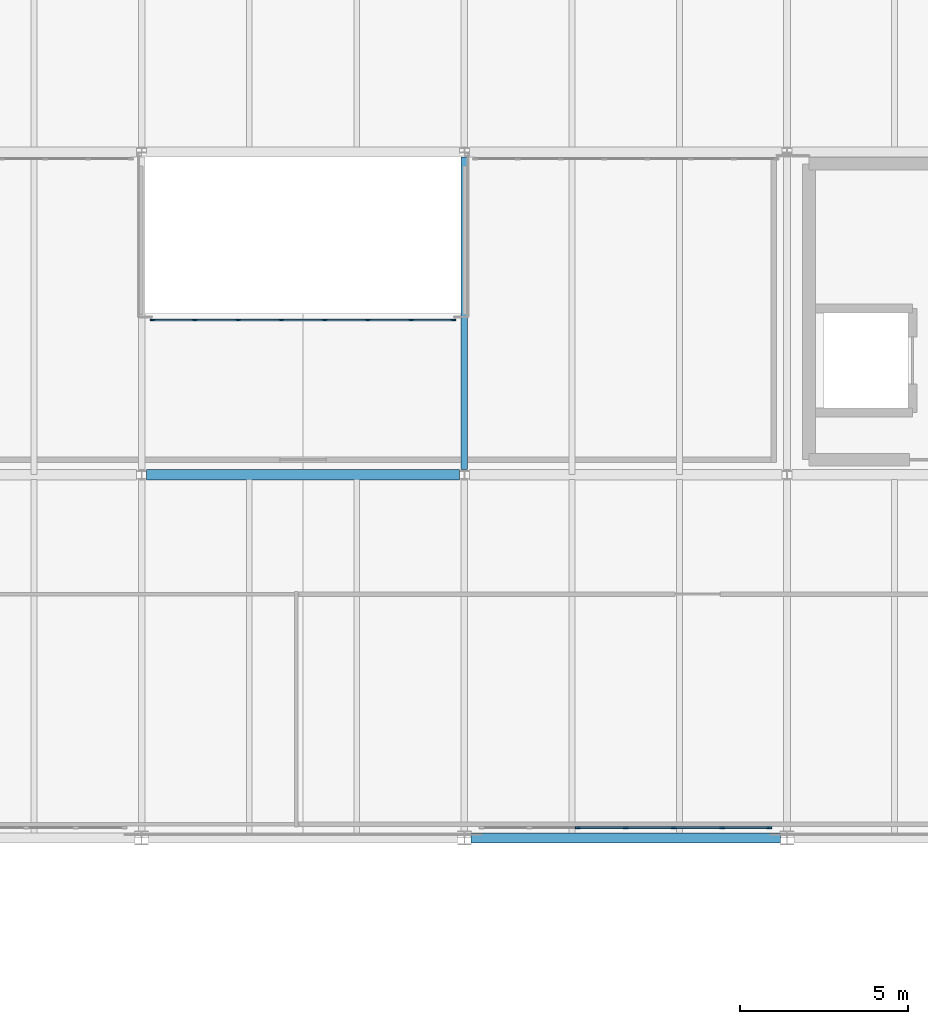
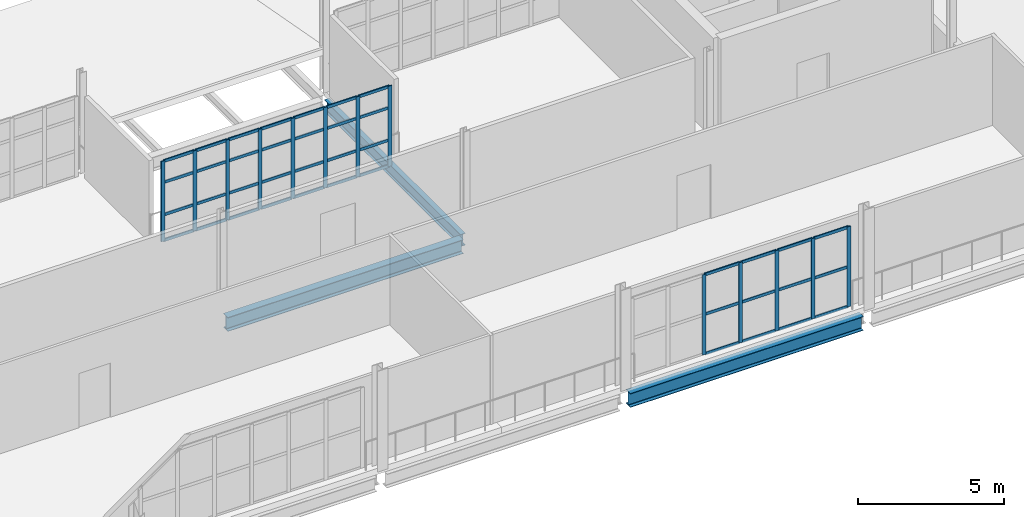
# One storey, part 24 of 58: 53 members, 3 beams, 2 elements without a shape of their own.
"""IFC4 building model written with IfcOpenShell, lengths in metres."""

from ifc_helpers import new_model, si_unit, direction, frame, origin, origin_2d, place, context, subcontext, project, spatial, rectangle, i_section, extrude, material, layer, layer_set, material_profile, profile_set, type_object, element, aggregate, save


model = new_model("IFC4")

# Units and contexts
model_context = context("Model", 3, precision=1e-05, world=origin(), true_north=direction((0.0, 1.0)))
body_context = subcontext(model_context, "Body", "Model", "MODEL_VIEW")
ifc_project = project(units=[si_unit("LENGTHUNIT", "METRE"), si_unit("AREAUNIT", "SQUARE_METRE"), si_unit("VOLUMEUNIT", "CUBIC_METRE"), si_unit("PLANEANGLEUNIT", "RADIAN"), si_unit("MASSUNIT", "GRAM", prefix="KILO")], contexts=[model_context])

# Site, building, storey
site_placement = place(None, origin())
site = spatial("IfcSite", under=ifc_project, at=site_placement, CompositionType="ELEMENT")
building_placement = place(site_placement, origin())
building = spatial("IfcBuilding", under=site, at=building_placement, Name="Yeouljin Market Hall", CompositionType="ELEMENT")
storey_placement = place(building_placement, frame((0.0, 0.0, 10.800048828125)))
storey = spatial("IfcBuildingStorey", under=building, at=storey_placement, Name="L02", CompositionType="ELEMENT", Elevation=10.800048828125)

# Beam
ifc_material_1 = material(Name="Steel SM355", Category="steel")
ifc_material_profile_1 = material_profile(ifc_material_1, i_section(OverallWidth=0.199951171875, OverallDepth=0.5, WebThickness=0.010009765625, FlangeThickness=0.01611328125, FilletRadius=0.02001953125, at=origin_2d()), Name="H-500x200x10x16")
ifc_profile_set_1 = profile_set([ifc_material_profile_1], Name="Steel SM355")
beam_type_1 = type_object("IfcBeamType", Name="Beam_H-500x200x10x16", PredefinedType="BEAM", material=ifc_profile_set_1)
beam_1_placement = place(storey_placement, frame((93.0, 88.949951171875, -0.505126953125), z_axis=(0.0, 1.0, 0.0), x_axis=(-1.0, 0.0, 0.0)))
element("IfcBeam", 1, at=beam_1_placement, inside=storey, type_object=beam_type_1, Name="Primary beam BM-L02-Y117", PredefinedType="BEAM", context=body_context, shape_type="SweptSolid", body=[
    extrude(i_section(OverallWidth=0.199951171875, OverallDepth=0.5, WebThickness=0.010009765625, FlangeThickness=0.01611328125, FilletRadius=0.02001953125, at=origin_2d()), origin(), (0.0, 0.0, 1.0), 9.300048828125),
])

# Curtain wall, members
ifc_material_2 = material(Name="Thermally Broken Aluminium", Category="aluminium")
ifc_layer_1 = layer(ifc_material_2, 0.14990234375)
ifc_layer_set_1 = layer_set([ifc_layer_1], Name="Thermally Broken Aluminium")
curtain_wall_type_1 = type_object("IfcCurtainWallType", Name="CW_AcademyRibbon_System", PredefinedType="USERDEFINED", material=ifc_layer_set_1)
curtain_wall_1_placement = place(storey_placement, origin())
curtain_wall_1 = element("IfcCurtainWall", 2, at=curtain_wall_1_placement, inside=storey, type_object=curtain_wall_type_1, Name="Curtain wall CW-L02-W16", ObjectType="CURTAIN WALL", PredefinedType="USERDEFINED")
ifc_material_3 = material(Name="Thermally Broken Aluminium", Category="aluminium")
ifc_material_profile_2 = material_profile(ifc_material_3, rectangle(XDim=0.048095703125, YDim=0.14990234375, at=origin_2d()), Name="CW-MULL-48x150")
ifc_profile_set_2 = profile_set([ifc_material_profile_2], Name="Thermally Broken Aluminium")
member_type_1 = type_object("IfcMemberType", Name="CWMullion_48x150", PredefinedType="MULLION", material=ifc_profile_set_2)
member_1_placement = place(storey_placement, frame((83.72412109375, 93.39990234375, 0.0), z_axis=(0.0, 0.0, 1.0), x_axis=(0.0, 1.0, 0.0)))
member_1 = element("IfcMember", 3, at=member_1_placement, type_object=member_type_1, Name="CW-05 mullion 1", PredefinedType="MULLION", context=body_context, shape_type="SweptSolid", body=[
    extrude(rectangle(XDim=0.048095703125, YDim=0.14990234375, at=origin_2d()), origin(), (0.0, 0.0, 1.0), 3.349853515625),
])
member_2_placement = place(storey_placement, frame((84.985595703125, 93.39990234375, 0.0), z_axis=(0.0, 0.0, 1.0), x_axis=(0.0, 1.0, 0.0)))
member_2 = element("IfcMember", 4, at=member_2_placement, type_object=member_type_1, Name="CW-05 mullion 2", PredefinedType="MULLION", context=body_context, shape_type="SweptSolid", body=[
    extrude(rectangle(XDim=0.048095703125, YDim=0.14990234375, at=origin_2d()), origin(), (0.0, 0.0, 1.0), 3.349853515625),
])
member_3_placement = place(storey_placement, frame((86.271484375, 93.39990234375, 0.0), z_axis=(0.0, 0.0, 1.0), x_axis=(0.0, 1.0, 0.0)))
member_3 = element("IfcMember", 5, at=member_3_placement, type_object=member_type_1, Name="CW-05 mullion 3", PredefinedType="MULLION", context=body_context, shape_type="SweptSolid", body=[
    extrude(rectangle(XDim=0.048095703125, YDim=0.14990234375, at=origin_2d()), origin(), (0.0, 0.0, 1.0), 3.349853515625),
])
member_4_placement = place(storey_placement, frame((87.55712890625, 93.39990234375, 0.0), z_axis=(0.0, 0.0, 1.0), x_axis=(0.0, 1.0, 0.0)))
member_4 = element("IfcMember", 6, at=member_4_placement, type_object=member_type_1, Name="CW-05 mullion 4", PredefinedType="MULLION", context=body_context, shape_type="SweptSolid", body=[
    extrude(rectangle(XDim=0.048095703125, YDim=0.14990234375, at=origin_2d()), origin(), (0.0, 0.0, 1.0), 3.349853515625),
])
member_5_placement = place(storey_placement, frame((88.8427734375, 93.39990234375, 0.0), z_axis=(0.0, 0.0, 1.0), x_axis=(0.0, 1.0, 0.0)))
member_5 = element("IfcMember", 7, at=member_5_placement, type_object=member_type_1, Name="CW-05 mullion 5", PredefinedType="MULLION", context=body_context, shape_type="SweptSolid", body=[
    extrude(rectangle(XDim=0.048095703125, YDim=0.14990234375, at=origin_2d()), origin(), (0.0, 0.0, 1.0), 3.349853515625),
])
member_6_placement = place(storey_placement, frame((90.128662109375, 93.39990234375, 0.0), z_axis=(0.0, 0.0, 1.0), x_axis=(0.0, 1.0, 0.0)))
member_6 = element("IfcMember", 8, at=member_6_placement, type_object=member_type_1, Name="CW-05 mullion 6", PredefinedType="MULLION", context=body_context, shape_type="SweptSolid", body=[
    extrude(rectangle(XDim=0.048095703125, YDim=0.14990234375, at=origin_2d()), origin(), (0.0, 0.0, 1.0), 3.349853515625),
])
member_7_placement = place(storey_placement, frame((91.414306640625, 93.39990234375, 0.0), z_axis=(0.0, 0.0, 1.0), x_axis=(0.0, 1.0, 0.0)))
member_7 = element("IfcMember", 9, at=member_7_placement, type_object=member_type_1, Name="CW-05 mullion 7", PredefinedType="MULLION", context=body_context, shape_type="SweptSolid", body=[
    extrude(rectangle(XDim=0.048095703125, YDim=0.14990234375, at=origin_2d()), origin(), (0.0, 0.0, 1.0), 3.349853515625),
])
member_8_placement = place(storey_placement, frame((92.676025390625, 93.39990234375, 0.0), z_axis=(0.0, 0.0, 1.0), x_axis=(0.0, 1.0, 0.0)))
member_8 = element("IfcMember", 10, at=member_8_placement, type_object=member_type_1, Name="CW-05 mullion 8", PredefinedType="MULLION", context=body_context, shape_type="SweptSolid", body=[
    extrude(rectangle(XDim=0.048095703125, YDim=0.14990234375, at=origin_2d()), origin(), (0.0, 0.0, 1.0), 3.349853515625),
])

ifc_material_4 = material(Name="Thermally Broken Aluminium", Category="aluminium")
ifc_layer_2 = layer(ifc_material_4, 0.14990234375)
ifc_layer_set_2 = layer_set([ifc_layer_2], Name="Thermally Broken Aluminium")
curtain_wall_type_2 = type_object("IfcCurtainWallType", Name="CW_WingStorefront_System", PredefinedType="USERDEFINED", material=ifc_layer_set_2)
curtain_wall_2_placement = place(storey_placement, origin())
curtain_wall_2 = element("IfcCurtainWall", 11, at=curtain_wall_2_placement, inside=storey, type_object=curtain_wall_type_2, Name="Curtain wall CW-CRT-L02-26", ObjectType="CURTAIN WALL", PredefinedType="USERDEFINED")
member_9_placement = place(storey_placement, frame((96.36669921875, 78.300048828125, 0.0), z_axis=(0.0, 0.0, 1.0), x_axis=(0.0, 1.0, 0.0)))
member_9 = element("IfcMember", 12, at=member_9_placement, type_object=member_type_1, Name="CW-04 mullion 3", PredefinedType="MULLION", context=body_context, shape_type="SweptSolid", body=[
    extrude(rectangle(XDim=0.048095703125, YDim=0.14990234375, at=origin_2d()), origin(), (0.0, 0.0, 1.0), 3.349853515625),
])
member_10_placement = place(storey_placement, frame((97.800048828125, 78.300048828125, 0.0), z_axis=(0.0, 0.0, 1.0), x_axis=(0.0, 1.0, 0.0)))
member_10 = element("IfcMember", 13, at=member_10_placement, type_object=member_type_1, Name="CW-04 mullion 4", PredefinedType="MULLION", context=body_context, shape_type="SweptSolid", body=[
    extrude(rectangle(XDim=0.048095703125, YDim=0.14990234375, at=origin_2d()), origin(), (0.0, 0.0, 1.0), 3.349853515625),
])
member_11_placement = place(storey_placement, frame((99.2333984375, 78.300048828125, 0.0), z_axis=(0.0, 0.0, 1.0), x_axis=(0.0, 1.0, 0.0)))
member_11 = element("IfcMember", 14, at=member_11_placement, type_object=member_type_1, Name="CW-04 mullion 5", PredefinedType="MULLION", context=body_context, shape_type="SweptSolid", body=[
    extrude(rectangle(XDim=0.048095703125, YDim=0.14990234375, at=origin_2d()), origin(), (0.0, 0.0, 1.0), 3.349853515625),
])
member_12_placement = place(storey_placement, frame((100.666748046875, 78.300048828125, 0.0), z_axis=(0.0, 0.0, 1.0), x_axis=(0.0, 1.0, 0.0)))
member_12 = element("IfcMember", 15, at=member_12_placement, type_object=member_type_1, Name="CW-04 mullion 6", PredefinedType="MULLION", context=body_context, shape_type="SweptSolid", body=[
    extrude(rectangle(XDim=0.048095703125, YDim=0.14990234375, at=origin_2d()), origin(), (0.0, 0.0, 1.0), 3.349853515625),
])
member_13_placement = place(storey_placement, frame((102.075927734375, 78.300048828125, 0.0), z_axis=(0.0, 0.0, 1.0), x_axis=(0.0, 1.0, 0.0)))
member_13 = element("IfcMember", 16, at=member_13_placement, type_object=member_type_1, Name="CW-04 mullion 7", PredefinedType="MULLION", context=body_context, shape_type="SweptSolid", body=[
    extrude(rectangle(XDim=0.048095703125, YDim=0.14990234375, at=origin_2d()), origin(), (0.0, 0.0, 1.0), 3.349853515625),
])

# Member
ifc_material_5 = material(Name="Thermally Broken Aluminium", Category="aluminium")
ifc_material_profile_3 = material_profile(ifc_material_5, rectangle(XDim=0.048095703125, YDim=0.1201171875, at=origin_2d()), Name="CW-TRAN-48x120")
ifc_profile_set_3 = profile_set([ifc_material_profile_3], Name="Thermally Broken Aluminium")
member_type_2 = type_object("IfcMemberType", Name="CWTransom_48x120", PredefinedType="USERDEFINED", material=ifc_profile_set_3)
member_14_placement = place(storey_placement, frame((83.748046875, 93.39990234375, 0.02392578125), z_axis=(1.0, 0.0, 0.0), x_axis=(0.0, 1.0, 0.0)))
member_14 = element("IfcMember", 17, at=member_14_placement, type_object=member_type_2, Name="CW-05 transom 1.1", ObjectType="TRANSOM", PredefinedType="USERDEFINED", context=body_context, shape_type="SweptSolid", body=[
    extrude(rectangle(XDim=0.048095703125, YDim=0.1201171875, at=origin_2d()), origin(), (0.0, 0.0, 1.0), 1.213623046875),
])

member_15_placement = place(storey_placement, frame((83.748046875, 93.39990234375, 1.099853515625), z_axis=(1.0, 0.0, 0.0), x_axis=(0.0, 1.0, 0.0)))
member_15 = element("IfcMember", 18, at=member_15_placement, type_object=member_type_2, Name="CW-05 transom 1.2", ObjectType="TRANSOM", PredefinedType="USERDEFINED", context=body_context, shape_type="SweptSolid", body=[
    extrude(rectangle(XDim=0.048095703125, YDim=0.1201171875, at=origin_2d()), origin(), (0.0, 0.0, 1.0), 1.213623046875),
])

member_16_placement = place(storey_placement, frame((83.748046875, 93.39990234375, 2.449951171875), z_axis=(1.0, 0.0, 0.0), x_axis=(0.0, 1.0, 0.0)))
member_16 = element("IfcMember", 19, at=member_16_placement, type_object=member_type_2, Name="CW-05 transom 1.3", ObjectType="TRANSOM", PredefinedType="USERDEFINED", context=body_context, shape_type="SweptSolid", body=[
    extrude(rectangle(XDim=0.048095703125, YDim=0.1201171875, at=origin_2d()), origin(), (0.0, 0.0, 1.0), 1.213623046875),
])

member_17_placement = place(storey_placement, frame((83.748046875, 93.39990234375, 3.325927734375), z_axis=(1.0, 0.0, 0.0), x_axis=(0.0, 1.0, 0.0)))
member_17 = element("IfcMember", 20, at=member_17_placement, type_object=member_type_2, Name="CW-05 transom 1.4", ObjectType="TRANSOM", PredefinedType="USERDEFINED", context=body_context, shape_type="SweptSolid", body=[
    extrude(rectangle(XDim=0.048095703125, YDim=0.1201171875, at=origin_2d()), origin(), (0.0, 0.0, 1.0), 1.213623046875),
])

member_18_placement = place(storey_placement, frame((85.009765625, 93.39990234375, 0.02392578125), z_axis=(1.0, 0.0, 0.0), x_axis=(0.0, 1.0, 0.0)))
member_18 = element("IfcMember", 21, at=member_18_placement, type_object=member_type_2, Name="CW-05 transom 2.1", ObjectType="TRANSOM", PredefinedType="USERDEFINED", context=body_context, shape_type="SweptSolid", body=[
    extrude(rectangle(XDim=0.048095703125, YDim=0.1201171875, at=origin_2d()), origin(), (0.0, 0.0, 1.0), 1.237548828125),
])

member_19_placement = place(storey_placement, frame((85.009765625, 93.39990234375, 1.099853515625), z_axis=(1.0, 0.0, 0.0), x_axis=(0.0, 1.0, 0.0)))
member_19 = element("IfcMember", 22, at=member_19_placement, type_object=member_type_2, Name="CW-05 transom 2.2", ObjectType="TRANSOM", PredefinedType="USERDEFINED", context=body_context, shape_type="SweptSolid", body=[
    extrude(rectangle(XDim=0.048095703125, YDim=0.1201171875, at=origin_2d()), origin(), (0.0, 0.0, 1.0), 1.237548828125),
])

member_20_placement = place(storey_placement, frame((85.009765625, 93.39990234375, 2.449951171875), z_axis=(1.0, 0.0, 0.0), x_axis=(0.0, 1.0, 0.0)))
member_20 = element("IfcMember", 23, at=member_20_placement, type_object=member_type_2, Name="CW-05 transom 2.3", ObjectType="TRANSOM", PredefinedType="USERDEFINED", context=body_context, shape_type="SweptSolid", body=[
    extrude(rectangle(XDim=0.048095703125, YDim=0.1201171875, at=origin_2d()), origin(), (0.0, 0.0, 1.0), 1.237548828125),
])

member_21_placement = place(storey_placement, frame((85.009765625, 93.39990234375, 3.325927734375), z_axis=(1.0, 0.0, 0.0), x_axis=(0.0, 1.0, 0.0)))
member_21 = element("IfcMember", 24, at=member_21_placement, type_object=member_type_2, Name="CW-05 transom 2.4", ObjectType="TRANSOM", PredefinedType="USERDEFINED", context=body_context, shape_type="SweptSolid", body=[
    extrude(rectangle(XDim=0.048095703125, YDim=0.1201171875, at=origin_2d()), origin(), (0.0, 0.0, 1.0), 1.237548828125),
])

member_22_placement = place(storey_placement, frame((86.29541015625, 93.39990234375, 0.02392578125), z_axis=(1.0, 0.0, 0.0), x_axis=(0.0, 1.0, 0.0)))
member_22 = element("IfcMember", 25, at=member_22_placement, type_object=member_type_2, Name="CW-05 transom 3.1", ObjectType="TRANSOM", PredefinedType="USERDEFINED", context=body_context, shape_type="SweptSolid", body=[
    extrude(rectangle(XDim=0.048095703125, YDim=0.1201171875, at=origin_2d()), origin(), (0.0, 0.0, 1.0), 1.23779296875),
])

member_23_placement = place(storey_placement, frame((86.29541015625, 93.39990234375, 1.099853515625), z_axis=(1.0, 0.0, 0.0), x_axis=(0.0, 1.0, 0.0)))
member_23 = element("IfcMember", 26, at=member_23_placement, type_object=member_type_2, Name="CW-05 transom 3.2", ObjectType="TRANSOM", PredefinedType="USERDEFINED", context=body_context, shape_type="SweptSolid", body=[
    extrude(rectangle(XDim=0.048095703125, YDim=0.1201171875, at=origin_2d()), origin(), (0.0, 0.0, 1.0), 1.23779296875),
])

member_24_placement = place(storey_placement, frame((86.29541015625, 93.39990234375, 2.449951171875), z_axis=(1.0, 0.0, 0.0), x_axis=(0.0, 1.0, 0.0)))
member_24 = element("IfcMember", 27, at=member_24_placement, type_object=member_type_2, Name="CW-05 transom 3.3", ObjectType="TRANSOM", PredefinedType="USERDEFINED", context=body_context, shape_type="SweptSolid", body=[
    extrude(rectangle(XDim=0.048095703125, YDim=0.1201171875, at=origin_2d()), origin(), (0.0, 0.0, 1.0), 1.23779296875),
])

member_25_placement = place(storey_placement, frame((86.29541015625, 93.39990234375, 3.325927734375), z_axis=(1.0, 0.0, 0.0), x_axis=(0.0, 1.0, 0.0)))
member_25 = element("IfcMember", 28, at=member_25_placement, type_object=member_type_2, Name="CW-05 transom 3.4", ObjectType="TRANSOM", PredefinedType="USERDEFINED", context=body_context, shape_type="SweptSolid", body=[
    extrude(rectangle(XDim=0.048095703125, YDim=0.1201171875, at=origin_2d()), origin(), (0.0, 0.0, 1.0), 1.23779296875),
])

member_26_placement = place(storey_placement, frame((87.5810546875, 93.39990234375, 0.02392578125), z_axis=(1.0, 0.0, 0.0), x_axis=(0.0, 1.0, 0.0)))
member_26 = element("IfcMember", 29, at=member_26_placement, type_object=member_type_2, Name="CW-05 transom 4.1", ObjectType="TRANSOM", PredefinedType="USERDEFINED", context=body_context, shape_type="SweptSolid", body=[
    extrude(rectangle(XDim=0.048095703125, YDim=0.1201171875, at=origin_2d()), origin(), (0.0, 0.0, 1.0), 1.23779296875),
])

member_27_placement = place(storey_placement, frame((87.5810546875, 93.39990234375, 1.099853515625), z_axis=(1.0, 0.0, 0.0), x_axis=(0.0, 1.0, 0.0)))
member_27 = element("IfcMember", 30, at=member_27_placement, type_object=member_type_2, Name="CW-05 transom 4.2", ObjectType="TRANSOM", PredefinedType="USERDEFINED", context=body_context, shape_type="SweptSolid", body=[
    extrude(rectangle(XDim=0.048095703125, YDim=0.1201171875, at=origin_2d()), origin(), (0.0, 0.0, 1.0), 1.23779296875),
])

member_28_placement = place(storey_placement, frame((87.5810546875, 93.39990234375, 2.449951171875), z_axis=(1.0, 0.0, 0.0), x_axis=(0.0, 1.0, 0.0)))
member_28 = element("IfcMember", 31, at=member_28_placement, type_object=member_type_2, Name="CW-05 transom 4.3", ObjectType="TRANSOM", PredefinedType="USERDEFINED", context=body_context, shape_type="SweptSolid", body=[
    extrude(rectangle(XDim=0.048095703125, YDim=0.1201171875, at=origin_2d()), origin(), (0.0, 0.0, 1.0), 1.23779296875),
])

member_29_placement = place(storey_placement, frame((87.5810546875, 93.39990234375, 3.325927734375), z_axis=(1.0, 0.0, 0.0), x_axis=(0.0, 1.0, 0.0)))
member_29 = element("IfcMember", 32, at=member_29_placement, type_object=member_type_2, Name="CW-05 transom 4.4", ObjectType="TRANSOM", PredefinedType="USERDEFINED", context=body_context, shape_type="SweptSolid", body=[
    extrude(rectangle(XDim=0.048095703125, YDim=0.1201171875, at=origin_2d()), origin(), (0.0, 0.0, 1.0), 1.23779296875),
])

member_30_placement = place(storey_placement, frame((88.866943359375, 93.39990234375, 0.02392578125), z_axis=(1.0, 0.0, 0.0), x_axis=(0.0, 1.0, 0.0)))
member_30 = element("IfcMember", 33, at=member_30_placement, type_object=member_type_2, Name="CW-05 transom 5.1", ObjectType="TRANSOM", PredefinedType="USERDEFINED", context=body_context, shape_type="SweptSolid", body=[
    extrude(rectangle(XDim=0.048095703125, YDim=0.1201171875, at=origin_2d()), origin(), (0.0, 0.0, 1.0), 1.237548828125),
])

member_31_placement = place(storey_placement, frame((88.866943359375, 93.39990234375, 1.099853515625), z_axis=(1.0, 0.0, 0.0), x_axis=(0.0, 1.0, 0.0)))
member_31 = element("IfcMember", 34, at=member_31_placement, type_object=member_type_2, Name="CW-05 transom 5.2", ObjectType="TRANSOM", PredefinedType="USERDEFINED", context=body_context, shape_type="SweptSolid", body=[
    extrude(rectangle(XDim=0.048095703125, YDim=0.1201171875, at=origin_2d()), origin(), (0.0, 0.0, 1.0), 1.237548828125),
])

member_32_placement = place(storey_placement, frame((88.866943359375, 93.39990234375, 2.449951171875), z_axis=(1.0, 0.0, 0.0), x_axis=(0.0, 1.0, 0.0)))
member_32 = element("IfcMember", 35, at=member_32_placement, type_object=member_type_2, Name="CW-05 transom 5.3", ObjectType="TRANSOM", PredefinedType="USERDEFINED", context=body_context, shape_type="SweptSolid", body=[
    extrude(rectangle(XDim=0.048095703125, YDim=0.1201171875, at=origin_2d()), origin(), (0.0, 0.0, 1.0), 1.237548828125),
])

member_33_placement = place(storey_placement, frame((88.866943359375, 93.39990234375, 3.325927734375), z_axis=(1.0, 0.0, 0.0), x_axis=(0.0, 1.0, 0.0)))
member_33 = element("IfcMember", 36, at=member_33_placement, type_object=member_type_2, Name="CW-05 transom 5.4", ObjectType="TRANSOM", PredefinedType="USERDEFINED", context=body_context, shape_type="SweptSolid", body=[
    extrude(rectangle(XDim=0.048095703125, YDim=0.1201171875, at=origin_2d()), origin(), (0.0, 0.0, 1.0), 1.237548828125),
])

member_34_placement = place(storey_placement, frame((90.152587890625, 93.39990234375, 0.02392578125), z_axis=(1.0, 0.0, 0.0), x_axis=(0.0, 1.0, 0.0)))
member_34 = element("IfcMember", 37, at=member_34_placement, type_object=member_type_2, Name="CW-05 transom 6.1", ObjectType="TRANSOM", PredefinedType="USERDEFINED", context=body_context, shape_type="SweptSolid", body=[
    extrude(rectangle(XDim=0.048095703125, YDim=0.1201171875, at=origin_2d()), origin(), (0.0, 0.0, 1.0), 1.23779296875),
])

member_35_placement = place(storey_placement, frame((90.152587890625, 93.39990234375, 1.099853515625), z_axis=(1.0, 0.0, 0.0), x_axis=(0.0, 1.0, 0.0)))
member_35 = element("IfcMember", 38, at=member_35_placement, type_object=member_type_2, Name="CW-05 transom 6.2", ObjectType="TRANSOM", PredefinedType="USERDEFINED", context=body_context, shape_type="SweptSolid", body=[
    extrude(rectangle(XDim=0.048095703125, YDim=0.1201171875, at=origin_2d()), origin(), (0.0, 0.0, 1.0), 1.23779296875),
])

member_36_placement = place(storey_placement, frame((90.152587890625, 93.39990234375, 2.449951171875), z_axis=(1.0, 0.0, 0.0), x_axis=(0.0, 1.0, 0.0)))
member_36 = element("IfcMember", 39, at=member_36_placement, type_object=member_type_2, Name="CW-05 transom 6.3", ObjectType="TRANSOM", PredefinedType="USERDEFINED", context=body_context, shape_type="SweptSolid", body=[
    extrude(rectangle(XDim=0.048095703125, YDim=0.1201171875, at=origin_2d()), origin(), (0.0, 0.0, 1.0), 1.23779296875),
])

member_37_placement = place(storey_placement, frame((90.152587890625, 93.39990234375, 3.325927734375), z_axis=(1.0, 0.0, 0.0), x_axis=(0.0, 1.0, 0.0)))
member_37 = element("IfcMember", 40, at=member_37_placement, type_object=member_type_2, Name="CW-05 transom 6.4", ObjectType="TRANSOM", PredefinedType="USERDEFINED", context=body_context, shape_type="SweptSolid", body=[
    extrude(rectangle(XDim=0.048095703125, YDim=0.1201171875, at=origin_2d()), origin(), (0.0, 0.0, 1.0), 1.23779296875),
])

member_38_placement = place(storey_placement, frame((91.438232421875, 93.39990234375, 0.02392578125), z_axis=(1.0, 0.0, 0.0), x_axis=(0.0, 1.0, 0.0)))
member_38 = element("IfcMember", 41, at=member_38_placement, type_object=member_type_2, Name="CW-05 transom 7.1", ObjectType="TRANSOM", PredefinedType="USERDEFINED", context=body_context, shape_type="SweptSolid", body=[
    extrude(rectangle(XDim=0.048095703125, YDim=0.1201171875, at=origin_2d()), origin(), (0.0, 0.0, 1.0), 1.2138671875),
])

member_39_placement = place(storey_placement, frame((91.438232421875, 93.39990234375, 1.099853515625), z_axis=(1.0, 0.0, 0.0), x_axis=(0.0, 1.0, 0.0)))
member_39 = element("IfcMember", 42, at=member_39_placement, type_object=member_type_2, Name="CW-05 transom 7.2", ObjectType="TRANSOM", PredefinedType="USERDEFINED", context=body_context, shape_type="SweptSolid", body=[
    extrude(rectangle(XDim=0.048095703125, YDim=0.1201171875, at=origin_2d()), origin(), (0.0, 0.0, 1.0), 1.2138671875),
])

member_40_placement = place(storey_placement, frame((91.438232421875, 93.39990234375, 2.449951171875), z_axis=(1.0, 0.0, 0.0), x_axis=(0.0, 1.0, 0.0)))
member_40 = element("IfcMember", 43, at=member_40_placement, type_object=member_type_2, Name="CW-05 transom 7.3", ObjectType="TRANSOM", PredefinedType="USERDEFINED", context=body_context, shape_type="SweptSolid", body=[
    extrude(rectangle(XDim=0.048095703125, YDim=0.1201171875, at=origin_2d()), origin(), (0.0, 0.0, 1.0), 1.2138671875),
])

member_41_placement = place(storey_placement, frame((91.438232421875, 93.39990234375, 3.325927734375), z_axis=(1.0, 0.0, 0.0), x_axis=(0.0, 1.0, 0.0)))
member_41 = element("IfcMember", 44, at=member_41_placement, type_object=member_type_2, Name="CW-05 transom 7.4", ObjectType="TRANSOM", PredefinedType="USERDEFINED", context=body_context, shape_type="SweptSolid", body=[
    extrude(rectangle(XDim=0.048095703125, YDim=0.1201171875, at=origin_2d()), origin(), (0.0, 0.0, 1.0), 1.2138671875),
])

aggregate(curtain_wall_1, [member_1, member_2, member_3, member_4, member_5, member_6, member_7, member_8, member_14, member_15, member_16, member_17, member_18, member_19, member_20, member_21, member_22, member_23, member_24, member_25, member_26, member_27, member_28, member_29, member_30, member_31, member_32, member_33, member_34, member_35, member_36, member_37, member_38, member_39, member_40, member_41])

member_42_placement = place(storey_placement, frame((96.390625, 78.300048828125, 0.02392578125), z_axis=(1.0, 0.0, 0.0), x_axis=(0.0, 1.0, 0.0)))
member_42 = element("IfcMember", 45, at=member_42_placement, type_object=member_type_2, Name="CW-04 transom 3.1", ObjectType="TRANSOM", PredefinedType="USERDEFINED", context=body_context, shape_type="SweptSolid", body=[
    extrude(rectangle(XDim=0.048095703125, YDim=0.1201171875, at=origin_2d()), origin(), (0.0, 0.0, 1.0), 1.38525390625),
])

member_43_placement = place(storey_placement, frame((96.390625, 78.300048828125, 1.675048828125), z_axis=(1.0, 0.0, 0.0), x_axis=(0.0, 1.0, 0.0)))
member_43 = element("IfcMember", 46, at=member_43_placement, type_object=member_type_2, Name="CW-04 transom 3.2", ObjectType="TRANSOM", PredefinedType="USERDEFINED", context=body_context, shape_type="SweptSolid", body=[
    extrude(rectangle(XDim=0.048095703125, YDim=0.1201171875, at=origin_2d()), origin(), (0.0, 0.0, 1.0), 1.38525390625),
])

member_44_placement = place(storey_placement, frame((96.390625, 78.300048828125, 3.325927734375), z_axis=(1.0, 0.0, 0.0), x_axis=(0.0, 1.0, 0.0)))
member_44 = element("IfcMember", 47, at=member_44_placement, type_object=member_type_2, Name="CW-04 transom 3.3", ObjectType="TRANSOM", PredefinedType="USERDEFINED", context=body_context, shape_type="SweptSolid", body=[
    extrude(rectangle(XDim=0.048095703125, YDim=0.1201171875, at=origin_2d()), origin(), (0.0, 0.0, 1.0), 1.38525390625),
])

member_45_placement = place(storey_placement, frame((97.823974609375, 78.300048828125, 0.02392578125), z_axis=(1.0, 0.0, 0.0), x_axis=(0.0, 1.0, 0.0)))
member_45 = element("IfcMember", 48, at=member_45_placement, type_object=member_type_2, Name="CW-04 transom 4.1", ObjectType="TRANSOM", PredefinedType="USERDEFINED", context=body_context, shape_type="SweptSolid", body=[
    extrude(rectangle(XDim=0.048095703125, YDim=0.1201171875, at=origin_2d()), origin(), (0.0, 0.0, 1.0), 1.38525390625),
])

member_46_placement = place(storey_placement, frame((97.823974609375, 78.300048828125, 1.675048828125), z_axis=(1.0, 0.0, 0.0), x_axis=(0.0, 1.0, 0.0)))
member_46 = element("IfcMember", 49, at=member_46_placement, type_object=member_type_2, Name="CW-04 transom 4.2", ObjectType="TRANSOM", PredefinedType="USERDEFINED", context=body_context, shape_type="SweptSolid", body=[
    extrude(rectangle(XDim=0.048095703125, YDim=0.1201171875, at=origin_2d()), origin(), (0.0, 0.0, 1.0), 1.38525390625),
])

member_47_placement = place(storey_placement, frame((97.823974609375, 78.300048828125, 3.325927734375), z_axis=(1.0, 0.0, 0.0), x_axis=(0.0, 1.0, 0.0)))
member_47 = element("IfcMember", 50, at=member_47_placement, type_object=member_type_2, Name="CW-04 transom 4.3", ObjectType="TRANSOM", PredefinedType="USERDEFINED", context=body_context, shape_type="SweptSolid", body=[
    extrude(rectangle(XDim=0.048095703125, YDim=0.1201171875, at=origin_2d()), origin(), (0.0, 0.0, 1.0), 1.38525390625),
])

member_48_placement = place(storey_placement, frame((99.25732421875, 78.300048828125, 0.02392578125), z_axis=(1.0, 0.0, 0.0), x_axis=(0.0, 1.0, 0.0)))
member_48 = element("IfcMember", 51, at=member_48_placement, type_object=member_type_2, Name="CW-04 transom 5.1", ObjectType="TRANSOM", PredefinedType="USERDEFINED", context=body_context, shape_type="SweptSolid", body=[
    extrude(rectangle(XDim=0.048095703125, YDim=0.1201171875, at=origin_2d()), origin(), (0.0, 0.0, 1.0), 1.38525390625),
])

member_49_placement = place(storey_placement, frame((99.25732421875, 78.300048828125, 1.675048828125), z_axis=(1.0, 0.0, 0.0), x_axis=(0.0, 1.0, 0.0)))
member_49 = element("IfcMember", 52, at=member_49_placement, type_object=member_type_2, Name="CW-04 transom 5.2", ObjectType="TRANSOM", PredefinedType="USERDEFINED", context=body_context, shape_type="SweptSolid", body=[
    extrude(rectangle(XDim=0.048095703125, YDim=0.1201171875, at=origin_2d()), origin(), (0.0, 0.0, 1.0), 1.38525390625),
])

member_50_placement = place(storey_placement, frame((99.25732421875, 78.300048828125, 3.325927734375), z_axis=(1.0, 0.0, 0.0), x_axis=(0.0, 1.0, 0.0)))
member_50 = element("IfcMember", 53, at=member_50_placement, type_object=member_type_2, Name="CW-04 transom 5.3", ObjectType="TRANSOM", PredefinedType="USERDEFINED", context=body_context, shape_type="SweptSolid", body=[
    extrude(rectangle(XDim=0.048095703125, YDim=0.1201171875, at=origin_2d()), origin(), (0.0, 0.0, 1.0), 1.38525390625),
])

member_51_placement = place(storey_placement, frame((100.690673828125, 78.300048828125, 0.02392578125), z_axis=(1.0, 0.0, 0.0), x_axis=(0.0, 1.0, 0.0)))
member_51 = element("IfcMember", 54, at=member_51_placement, type_object=member_type_2, Name="CW-04 transom 6.1", ObjectType="TRANSOM", PredefinedType="USERDEFINED", context=body_context, shape_type="SweptSolid", body=[
    extrude(rectangle(XDim=0.048095703125, YDim=0.1201171875, at=origin_2d()), origin(), (0.0, 0.0, 1.0), 1.361328125),
])

member_52_placement = place(storey_placement, frame((100.690673828125, 78.300048828125, 1.675048828125), z_axis=(1.0, 0.0, 0.0), x_axis=(0.0, 1.0, 0.0)))
member_52 = element("IfcMember", 55, at=member_52_placement, type_object=member_type_2, Name="CW-04 transom 6.2", ObjectType="TRANSOM", PredefinedType="USERDEFINED", context=body_context, shape_type="SweptSolid", body=[
    extrude(rectangle(XDim=0.048095703125, YDim=0.1201171875, at=origin_2d()), origin(), (0.0, 0.0, 1.0), 1.361328125),
])

member_53_placement = place(storey_placement, frame((100.690673828125, 78.300048828125, 3.325927734375), z_axis=(1.0, 0.0, 0.0), x_axis=(0.0, 1.0, 0.0)))
member_53 = element("IfcMember", 56, at=member_53_placement, type_object=member_type_2, Name="CW-04 transom 6.3", ObjectType="TRANSOM", PredefinedType="USERDEFINED", context=body_context, shape_type="SweptSolid", body=[
    extrude(rectangle(XDim=0.048095703125, YDim=0.1201171875, at=origin_2d()), origin(), (0.0, 0.0, 1.0), 1.361328125),
])

aggregate(curtain_wall_2, [member_9, member_10, member_11, member_12, member_13, member_42, member_43, member_44, member_45, member_46, member_47, member_48, member_49, member_50, member_51, member_52, member_53])

# Beams
ifc_material_6 = material(Name="Steel SM355", Category="steel")
ifc_material_profile_4 = material_profile(ifc_material_6, i_section(OverallWidth=0.300048828125, OverallDepth=0.587890625, WebThickness=0.011962890625, FlangeThickness=0.02001953125, FilletRadius=0.02392578125, at=origin_2d()), Name="H-588x300x12x20")
ifc_profile_set_4 = profile_set([ifc_material_profile_4], Name="Steel SM355")
beam_type_2 = type_object("IfcBeamType", Name="Girder_H-588x300x12x20", PredefinedType="USERDEFINED", material=ifc_profile_set_4)
beam_2_placement = place(storey_placement, frame((93.199951171875, 78.0, -0.549072265625), z_axis=(1.0, 0.0, 0.0), x_axis=(0.0, 1.0, 0.0)))
element("IfcBeam", 57, at=beam_2_placement, inside=storey, type_object=beam_type_2, Name="Primary girder GRD-L02-X051", ObjectType="GIRDER", PredefinedType="USERDEFINED", context=body_context, shape_type="SweptSolid", body=[
    extrude(i_section(OverallWidth=0.300048828125, OverallDepth=0.587890625, WebThickness=0.011962890625, FlangeThickness=0.02001953125, FilletRadius=0.02392578125, at=origin_2d()), origin(), (0.0, 0.0, 1.0), 9.199951171875),
])
beam_3_placement = place(storey_placement, frame((83.550048828125, 88.800048828125, -0.549072265625), z_axis=(1.0, 0.0, 0.0), x_axis=(0.0, 1.0, 0.0)))
element("IfcBeam", 58, at=beam_3_placement, inside=storey, type_object=beam_type_2, Name="Primary girder GRD-L02-X060", ObjectType="GIRDER", PredefinedType="USERDEFINED", context=body_context, shape_type="SweptSolid", body=[
    extrude(i_section(OverallWidth=0.300048828125, OverallDepth=0.587890625, WebThickness=0.011962890625, FlangeThickness=0.02001953125, FilletRadius=0.02392578125, at=origin_2d()), origin(), (0.0, 0.0, 1.0), 9.300048828125),
])

save(model, "model.ifc")
